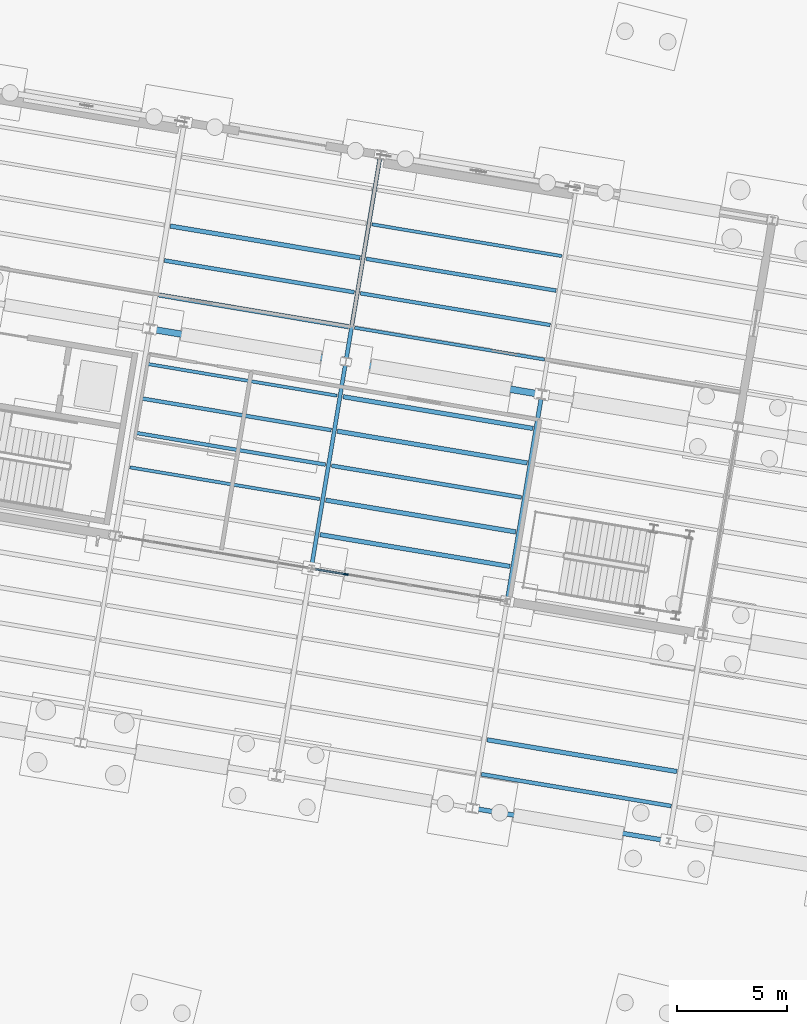
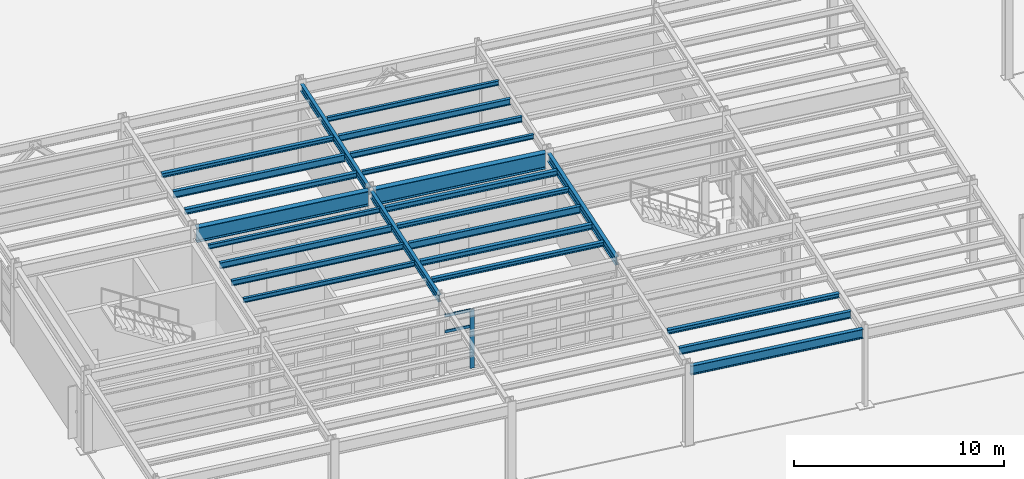
# One storey, part 44 of 108: 24 beams, 3 members, 1 element without a shape of its own.
"""IFC4 building model written with IfcOpenShell, lengths in metres."""

from ifc_helpers import new_model, si_unit, direction, frame, origin, origin_2d, place, context, subcontext, project, spatial, rectangle, i_section, extrude, material, layer, layer_set, material_profile, profile_set, type_object, element, aggregate, save


model = new_model("IFC4")

# Units and contexts
model_context = context("Model", 3, precision=1e-05, world=origin(), true_north=direction((0.0, 1.0)))
body_context = subcontext(model_context, "Body", "Model", "MODEL_VIEW")
ifc_project = project(units=[si_unit("LENGTHUNIT", "METRE"), si_unit("AREAUNIT", "SQUARE_METRE"), si_unit("VOLUMEUNIT", "CUBIC_METRE"), si_unit("PLANEANGLEUNIT", "RADIAN"), si_unit("MASSUNIT", "GRAM", prefix="KILO")], contexts=[model_context])

# Site, building, storey
site_placement = place(None, origin())
site = spatial("IfcSite", under=ifc_project, at=site_placement, CompositionType="ELEMENT")
building_placement = place(site_placement, origin())
building = spatial("IfcBuilding", under=site, at=building_placement, Name="Vireo Bluff Cable Station", CompositionType="ELEMENT")
storey_placement = place(building_placement, origin())
storey = spatial("IfcBuildingStorey", under=building, at=storey_placement, Name="L00", CompositionType="ELEMENT", Elevation=0.0)

# Beams
ifc_material_1 = material(Name="Steel ASTM A992 Gr. 50", Category="steel")
ifc_material_profile_1 = material_profile(ifc_material_1, i_section(OverallWidth=0.178955078125, OverallDepth=0.408935546875, WebThickness=0.0087890625, FlangeThickness=0.014404296875, FilletRadius=0.010009765625, at=origin_2d()), Name="W16X45")
ifc_profile_set_1 = profile_set([ifc_material_profile_1], Name="Steel ASTM A992 Gr. 50")
beam_type_1 = type_object("IfcBeamType", Name="BM-W16X45", PredefinedType="BEAM", material=ifc_profile_set_1)
beam_1_placement = place(storey_placement, frame((24.8408203125, 78.01708984375, 4.33544921875), z_axis=(0.165044536891, 0.986286115102, 0.0), x_axis=(-0.986286115102, 0.165044536891, 0.0)))
element("IfcBeam", 1, at=beam_1_placement, inside=storey, type_object=beam_type_1, Name="V4 L00 beam 793", PredefinedType="BEAM", context=body_context, shape_type="SweptSolid", body=[
    extrude(i_section(OverallWidth=0.178955078125, OverallDepth=0.408935546875, WebThickness=0.0087890625, FlangeThickness=0.014404296875, FilletRadius=0.010009765625, at=origin_2d()), origin(), (0.0, 0.0, 1.0), 9.260009765625),
])
ifc_material_profile_2 = material_profile(ifc_material_1, i_section(OverallWidth=0.180908203125, OverallDepth=0.4169921875, WebThickness=0.010986328125, FlangeThickness=0.018310546875, FilletRadius=0.010009765625, at=origin_2d()), Name="W16X57")
ifc_profile_set_2 = profile_set([ifc_material_profile_2], Name="Steel ASTM A992 Gr. 50")
beam_type_2 = type_object("IfcBeamType", Name="BM-W16X57", PredefinedType="BEAM", material=ifc_profile_set_2)
beam_2_placement = place(storey_placement, frame((26.408935546875, 87.386962890625, 4.33154296875), z_axis=(0.165044536891, 0.986286115102, 0.0), x_axis=(-0.986286115102, 0.165044536891, 0.0)))
element("IfcBeam", 2, at=beam_2_placement, inside=storey, type_object=beam_type_2, Name="V4 L00 beam 794", PredefinedType="BEAM", context=body_context, shape_type="SweptSolid", body=[
    extrude(i_section(OverallWidth=0.180908203125, OverallDepth=0.4169921875, WebThickness=0.010986328125, FlangeThickness=0.018310546875, FilletRadius=0.010009765625, at=origin_2d()), origin(), (0.0, 0.0, 1.0), 9.260009765625),
])
ifc_material_profile_3 = material_profile(ifc_material_1, i_section(OverallWidth=0.193115234375, OverallDepth=0.467041015625, WebThickness=0.011474609375, FlangeThickness=0.01904296875, FilletRadius=0.011962890625, at=origin_2d()), Name="W18X65")
ifc_profile_set_3 = profile_set([ifc_material_profile_3], Name="Steel ASTM A992 Gr. 50")
beam_type_3 = type_object("IfcBeamType", Name="BM-W18X65", PredefinedType="BEAM", material=ifc_profile_set_3)
beam_3_placement = place(storey_placement, frame((33.717529296875, 76.53173828125, 4.306396484375), z_axis=(0.165044536891, 0.986286115102, 0.0), x_axis=(-0.986286115102, 0.165044536891, 0.0)))
element("IfcBeam", 3, at=beam_3_placement, inside=storey, type_object=beam_type_3, Name="V4 L00 beam 796", PredefinedType="BEAM", context=body_context, shape_type="SweptSolid", body=[
    extrude(i_section(OverallWidth=0.193115234375, OverallDepth=0.467041015625, WebThickness=0.011474609375, FlangeThickness=0.01904296875, FilletRadius=0.011962890625, at=origin_2d()), origin(), (0.0, 0.0, 1.0), 9.260009765625),
])

# Curtain wall, members
ifc_material_2 = material(Name="Anodized Aluminium 6063-T6", Category="aluminium")
ifc_layer = layer(ifc_material_2, 0.179931640625, Name="Anodized Aluminium 6063-T6")
ifc_layer_set = layer_set([ifc_layer], Name="Anodized Aluminium 6063-T6")
curtain_wall_type = type_object("IfcCurtainWallType", Name="CW-UNIT-1400", PredefinedType="USERDEFINED", material=ifc_layer_set)
curtain_wall_placement = place(storey_placement, origin())
curtain_wall = element("IfcCurtainWall", 4, at=curtain_wall_placement, inside=storey, type_object=curtain_wall_type, Name="V4 L00 south curtain wall CW-081", ObjectType="UNITISED CURTAIN WALL", PredefinedType="USERDEFINED")
ifc_material_profile_4 = material_profile(ifc_material_2, rectangle(XDim=0.074951171875, YDim=0.2099609375, at=origin_2d()), Name="ALU-M-75X210")
ifc_profile_set_4 = profile_set([ifc_material_profile_4], Name="Anodized Aluminium 6063-T6")
member_type_1 = type_object("IfcMemberType", Name="CWM-02", PredefinedType="MULLION", material=ifc_profile_set_4)
member_1_placement = place(storey_placement, frame((26.389404296875, 77.636474609375, 0.0), z_axis=(0.0, 0.0, 1.0), x_axis=(-0.165047563411, -0.986285608641, 0.0)))
member_1 = element("IfcMember", 5, at=member_1_placement, type_object=member_type_1, Name="CW-081 mullion 6", PredefinedType="MULLION", context=body_context, shape_type="SweptSolid", body=[
    extrude(rectangle(XDim=0.074951171875, YDim=0.2099609375, at=origin_2d()), origin(), (0.0, 0.0, 1.0), 3.39990234375),
])
ifc_material_profile_5 = material_profile(ifc_material_2, rectangle(XDim=0.074951171875, YDim=0.159912109375, at=origin_2d()), Name="ALU-T-75X160")
ifc_profile_set_5 = profile_set([ifc_material_profile_5], Name="Anodized Aluminium 6063-T6")
member_type_2 = type_object("IfcMemberType", Name="CWT-02", PredefinedType="USERDEFINED", material=ifc_profile_set_5)
member_2_placement = place(storey_placement, frame((26.3525390625, 77.642578125, 2.447998046875), z_axis=(-0.986281177913, 0.165074038219, 0.0), x_axis=(-0.165074038219, -0.986281177913, 0.0)))
member_2 = element("IfcMember", 6, at=member_2_placement, type_object=member_type_2, Name="CW-081 transom 6.3", ObjectType="TRANSOM", PredefinedType="USERDEFINED", context=body_context, shape_type="SweptSolid", body=[
    extrude(rectangle(XDim=0.074951171875, YDim=0.159912109375, at=origin_2d()), origin(), (0.0, 0.0, 1.0), 1.348876953125),
])
member_3_placement = place(storey_placement, frame((26.3525390625, 77.642578125, 3.362548828125), z_axis=(-0.986281177913, 0.165074038219, 0.0), x_axis=(-0.165074038219, -0.986281177913, 0.0)))
member_3 = element("IfcMember", 7, at=member_3_placement, type_object=member_type_2, Name="CW-081 transom 6.4", ObjectType="TRANSOM", PredefinedType="USERDEFINED", context=body_context, shape_type="SweptSolid", body=[
    extrude(rectangle(XDim=0.074951171875, YDim=0.159912109375, at=origin_2d()), origin(), (0.0, 0.0, 1.0), 1.348876953125),
])
aggregate(curtain_wall, [member_1, member_2, member_3])

# Beams
ifc_material_profile_6 = material_profile(ifc_material_1, i_section(OverallWidth=0.2919921875, OverallDepth=0.85888671875, WebThickness=0.01708984375, FlangeThickness=0.031005859375, FilletRadius=0.01806640625, at=origin_2d()), Name="W33X169")
ifc_profile_set_6 = profile_set([ifc_material_profile_6], Name="Steel ASTM A992 Gr. 50")
beam_type_4 = type_object("IfcBeamType", Name="GIR-W33X169", PredefinedType="USERDEFINED", material=ifc_profile_set_6)
beam_4_placement = place(storey_placement, frame((17.630859375, 88.734130859375, 4.110595703125), z_axis=(0.986285998922, -0.165045231163, 0.0), x_axis=(0.165045231163, 0.986285998922, 0.0)))
element("IfcBeam", 8, at=beam_4_placement, inside=storey, type_object=beam_type_4, Name="V4 L00 girder 777", ObjectType="GIRDER", PredefinedType="USERDEFINED", context=body_context, shape_type="SweptSolid", body=[
    extrude(i_section(OverallWidth=0.2919921875, OverallDepth=0.85888671875, WebThickness=0.01708984375, FlangeThickness=0.031005859375, FilletRadius=0.01806640625, at=origin_2d()), origin(), (0.0, 0.0, 1.0), 8.760009765625),
])
ifc_material_profile_7 = material_profile(ifc_material_1, i_section(OverallWidth=0.303955078125, OverallDepth=0.912109375, WebThickness=0.015869140625, FlangeThickness=0.02392578125, FilletRadius=0.02001953125, at=origin_2d()), Name="W36X150")
ifc_profile_set_7 = profile_set([ifc_material_profile_7], Name="Steel ASTM A992 Gr. 50")
beam_type_5 = type_object("IfcBeamType", Name="GIR-W36X150", PredefinedType="USERDEFINED", material=ifc_profile_set_7)
beam_5_placement = place(storey_placement, frame((26.50732421875, 87.248779296875, 4.083984375), z_axis=(0.986285998922, -0.165045231163, 0.0), x_axis=(0.165045231163, 0.986285998922, 0.0)))
element("IfcBeam", 9, at=beam_5_placement, inside=storey, type_object=beam_type_5, Name="V4 L00 girder 778", ObjectType="GIRDER", PredefinedType="USERDEFINED", context=body_context, shape_type="SweptSolid", body=[
    extrude(i_section(OverallWidth=0.303955078125, OverallDepth=0.912109375, WebThickness=0.015869140625, FlangeThickness=0.02392578125, FilletRadius=0.02001953125, at=origin_2d()), origin(), (0.0, 0.0, 1.0), 8.760009765625),
])
ifc_material_profile_8 = material_profile(ifc_material_1, i_section(OverallWidth=0.14599609375, OverallDepth=0.259033203125, WebThickness=0.006103515625, FlangeThickness=0.009033203125, FilletRadius=0.009033203125, at=origin_2d()), Name="W10X22")
ifc_profile_set_8 = profile_set([ifc_material_profile_8], Name="Steel ASTM A992 Gr. 50")
beam_type_6 = type_object("IfcBeamType", Name="JST-W10X22", PredefinedType="JOIST", material=ifc_profile_set_8)
beam_6_placement = place(storey_placement, frame((16.605224609375, 82.484375, 4.410400390625), z_axis=(0.98628550168, -0.165048202583, 0.0), x_axis=(0.165048202583, 0.98628550168, 0.0)))
element("IfcBeam", 10, at=beam_6_placement, inside=storey, type_object=beam_type_6, Name="V4 L00 composite joist 820", PredefinedType="JOIST", context=body_context, shape_type="SweptSolid", body=[
    extrude(i_section(OverallWidth=0.14599609375, OverallDepth=0.259033203125, WebThickness=0.006103515625, FlangeThickness=0.009033203125, FilletRadius=0.009033203125, at=origin_2d()), origin(), (0.0, 0.0, 1.0), 8.719970703125),
])
for number, where, z_axis, x_axis, name in (
    (11, (17.38916015625, 87.169189453125, 4.410400390625), (0.986286264339, -0.165043645063, 0.0), (0.165043645063, 0.986286264339, 0.0), "V4 L00 composite joist 823"),
    (12, (26.788330078125, 88.80712890625, 4.410400390625), (0.986286264339, -0.165043645063, 0.0), (0.165043645063, 0.986286264339, 0.0), "V4 L00 composite joist 839"),
):
    element("IfcBeam", number, at=place(storey_placement, frame(where, z_axis=z_axis, x_axis=x_axis)), inside=storey, type_object=beam_type_6, Name=name, PredefinedType="JOIST", context=body_context, shape_type="SweptSolid", body=[
        extrude(i_section(OverallWidth=0.14599609375, OverallDepth=0.259033203125, WebThickness=0.006103515625, FlangeThickness=0.009033203125, FilletRadius=0.009033203125, at=origin_2d()), origin(), (0.0, 0.0, 1.0), 8.72021484375),
    ])
beam_7_placement = place(storey_placement, frame((27.572509765625, 93.491943359375, 4.410400390625), z_axis=(0.98628550168, -0.165048202583, 0.0), x_axis=(0.165048202583, 0.98628550168, 0.0)))
element("IfcBeam", 13, at=beam_7_placement, inside=storey, type_object=beam_type_6, Name="V4 L00 composite joist 842", PredefinedType="JOIST", context=body_context, shape_type="SweptSolid", body=[
    extrude(i_section(OverallWidth=0.14599609375, OverallDepth=0.259033203125, WebThickness=0.006103515625, FlangeThickness=0.009033203125, FilletRadius=0.009033203125, at=origin_2d()), origin(), (0.0, 0.0, 1.0), 8.719970703125),
])
ifc_material_profile_9 = material_profile(ifc_material_1, i_section(OverallWidth=0.201904296875, OverallDepth=0.2470703125, WebThickness=0.00732421875, FlangeThickness=0.010986328125, FilletRadius=0.009033203125, at=origin_2d()), Name="W10X33")
ifc_profile_set_9 = profile_set([ifc_material_profile_9], Name="Steel ASTM A992 Gr. 50")
beam_type_7 = type_object("IfcBeamType", Name="JST-W10X33", PredefinedType="JOIST", material=ifc_profile_set_9)
for number, where, z_axis, x_axis, name in (
    (14, (18.4345703125, 93.415771484375, 4.41650390625), (0.98628550168, -0.165048202583, 0.0), (0.165048202583, 0.98628550168, 0.0), "V4 L00 composite joist 826"),
    (15, (25.220458984375, 79.437255859375, 4.41650390625), (0.98628550168, -0.165048202583, 0.0), (0.165048202583, 0.98628550168, 0.0), "V4 L00 composite joist 834"),
):
    element("IfcBeam", number, at=place(storey_placement, frame(where, z_axis=z_axis, x_axis=x_axis)), inside=storey, type_object=beam_type_7, Name=name, PredefinedType="JOIST", context=body_context, shape_type="SweptSolid", body=[
        extrude(i_section(OverallWidth=0.201904296875, OverallDepth=0.2470703125, WebThickness=0.00732421875, FlangeThickness=0.010986328125, FilletRadius=0.009033203125, at=origin_2d()), origin(), (0.0, 0.0, 1.0), 8.719970703125),
    ])
beam_8_placement = place(storey_placement, frame((26.00439453125, 84.122314453125, 4.41650390625), z_axis=(0.986286264339, -0.165043645063, 0.0), x_axis=(0.165043645063, 0.986286264339, 0.0)))
element("IfcBeam", 16, at=beam_8_placement, inside=storey, type_object=beam_type_7, Name="V4 L00 composite joist 837", PredefinedType="JOIST", context=body_context, shape_type="SweptSolid", body=[
    extrude(i_section(OverallWidth=0.201904296875, OverallDepth=0.2470703125, WebThickness=0.00732421875, FlangeThickness=0.010986328125, FilletRadius=0.009033203125, at=origin_2d()), origin(), (0.0, 0.0, 1.0), 8.72021484375),
])
beam_9_placement = place(storey_placement, frame((32.79052734375, 70.143798828125, 4.41650390625), z_axis=(0.98628550168, -0.165048202583, 0.0), x_axis=(0.165048202583, 0.98628550168, 0.0)))
element("IfcBeam", 17, at=beam_9_placement, inside=storey, type_object=beam_type_7, Name="V4 L00 composite joist 845", PredefinedType="JOIST", context=body_context, shape_type="SweptSolid", body=[
    extrude(i_section(OverallWidth=0.201904296875, OverallDepth=0.2470703125, WebThickness=0.00732421875, FlangeThickness=0.010986328125, FilletRadius=0.009033203125, at=origin_2d()), origin(), (0.0, 0.0, 1.0), 8.719970703125),
])
ifc_material_profile_10 = material_profile(ifc_material_1, i_section(OverallWidth=0.1650390625, OverallDepth=0.31005859375, WebThickness=0.005859375, FlangeThickness=0.009765625, FilletRadius=0.010009765625, at=origin_2d()), Name="W12X26")
ifc_profile_set_10 = profile_set([ifc_material_profile_10], Name="Steel ASTM A992 Gr. 50")
beam_type_8 = type_object("IfcBeamType", Name="JST-W12X26", PredefinedType="JOIST", material=ifc_profile_set_10)
for number, where, z_axis, x_axis, name in (
    (18, (16.86669921875, 84.046142578125, 4.385009765625), (0.98628550168, -0.165048202583, 0.0), (0.165048202583, 0.98628550168, 0.0), "V4 L00 composite joist 821"),
    (19, (27.0498046875, 90.36865234375, 4.385009765625), (0.98628550168, -0.165048202583, 0.0), (0.165048202583, 0.98628550168, 0.0), "V4 L00 composite joist 840"),
):
    element("IfcBeam", number, at=place(storey_placement, frame(where, z_axis=z_axis, x_axis=x_axis)), inside=storey, type_object=beam_type_8, Name=name, PredefinedType="JOIST", context=body_context, shape_type="SweptSolid", body=[
        extrude(i_section(OverallWidth=0.1650390625, OverallDepth=0.31005859375, WebThickness=0.005859375, FlangeThickness=0.009765625, FilletRadius=0.010009765625, at=origin_2d()), origin(), (0.0, 0.0, 1.0), 8.719970703125),
    ])
ifc_material_profile_11 = material_profile(ifc_material_1, i_section(OverallWidth=0.202880859375, OverallDepth=0.302978515625, WebThickness=0.007568359375, FlangeThickness=0.01318359375, FilletRadius=0.010009765625, at=origin_2d()), Name="W12X40")
ifc_profile_set_11 = profile_set([ifc_material_profile_11], Name="Steel ASTM A992 Gr. 50")
beam_type_9 = type_object("IfcBeamType", Name="JST-W12X40", PredefinedType="JOIST", material=ifc_profile_set_11)
for number, where, z_axis, x_axis, name in (
    (20, (17.911865234375, 90.29248046875, 4.388427734375), (0.98628550168, -0.165048202583, 0.0), (0.165048202583, 0.98628550168, 0.0), "V4 L00 composite joist 824"),
    (21, (25.48193359375, 80.9990234375, 4.388427734375), (0.98628550168, -0.165048202583, 0.0), (0.165048202583, 0.98628550168, 0.0), "V4 L00 composite joist 835"),
    (22, (26.265869140625, 85.683837890625, 4.388427734375), (0.98628550168, -0.165048202583, 0.0), (0.165048202583, 0.98628550168, 0.0), "V4 L00 composite joist 838"),
):
    element("IfcBeam", number, at=place(storey_placement, frame(where, z_axis=z_axis, x_axis=x_axis)), inside=storey, type_object=beam_type_9, Name=name, PredefinedType="JOIST", context=body_context, shape_type="SweptSolid", body=[
        extrude(i_section(OverallWidth=0.202880859375, OverallDepth=0.302978515625, WebThickness=0.007568359375, FlangeThickness=0.01318359375, FilletRadius=0.010009765625, at=origin_2d()), origin(), (0.0, 0.0, 1.0), 8.719970703125),
    ])
ifc_material_profile_12 = material_profile(ifc_material_1, i_section(OverallWidth=0.1708984375, OverallDepth=0.35107421875, WebThickness=0.0068359375, FlangeThickness=0.009765625, FilletRadius=0.010009765625, at=origin_2d()), Name="W14X30")
ifc_profile_set_12 = profile_set([ifc_material_profile_12], Name="Steel ASTM A992 Gr. 50")
beam_type_10 = type_object("IfcBeamType", Name="JST-W14X30", PredefinedType="JOIST", material=ifc_profile_set_12)
beam_10_placement = place(storey_placement, frame((17.1279296875, 85.607666015625, 4.364501953125), z_axis=(0.98628550168, -0.165048202583, 0.0), x_axis=(0.165048202583, 0.98628550168, 0.0)))
element("IfcBeam", 23, at=beam_10_placement, inside=storey, type_object=beam_type_10, Name="V4 L00 composite joist 822", PredefinedType="JOIST", context=body_context, shape_type="SweptSolid", body=[
    extrude(i_section(OverallWidth=0.1708984375, OverallDepth=0.35107421875, WebThickness=0.0068359375, FlangeThickness=0.009765625, FilletRadius=0.010009765625, at=origin_2d()), origin(), (0.0, 0.0, 1.0), 8.719970703125),
])
beam_11_placement = place(storey_placement, frame((27.31103515625, 91.930419921875, 4.364501953125), z_axis=(0.986286264339, -0.165043645063, 0.0), x_axis=(0.165043645063, 0.986286264339, 0.0)))
element("IfcBeam", 24, at=beam_11_placement, inside=storey, type_object=beam_type_10, Name="V4 L00 composite joist 841", PredefinedType="JOIST", context=body_context, shape_type="SweptSolid", body=[
    extrude(i_section(OverallWidth=0.1708984375, OverallDepth=0.35107421875, WebThickness=0.0068359375, FlangeThickness=0.009765625, FilletRadius=0.010009765625, at=origin_2d()), origin(), (0.0, 0.0, 1.0), 8.72021484375),
])
ifc_material_profile_13 = material_profile(ifc_material_1, i_section(OverallWidth=0.177978515625, OverallDepth=0.404052734375, WebThickness=0.007568359375, FlangeThickness=0.010986328125, FilletRadius=0.010009765625, at=origin_2d()), Name="W16X36")
ifc_profile_set_13 = profile_set([ifc_material_profile_13], Name="Steel ASTM A992 Gr. 50")
beam_type_11 = type_object("IfcBeamType", Name="JST-W16X36", PredefinedType="JOIST", material=ifc_profile_set_13)
beam_12_placement = place(storey_placement, frame((18.173095703125, 91.854248046875, 4.337890625), z_axis=(0.986281706588, -0.165070879472, 0.0), x_axis=(0.165070879472, 0.986281706588, 0.0)))
element("IfcBeam", 25, at=beam_12_placement, inside=storey, type_object=beam_type_11, Name="V4 L00 composite joist 825", PredefinedType="JOIST", context=body_context, shape_type="SweptSolid", body=[
    extrude(i_section(OverallWidth=0.177978515625, OverallDepth=0.404052734375, WebThickness=0.007568359375, FlangeThickness=0.010986328125, FilletRadius=0.010009765625, at=origin_2d()), origin(), (0.0, 0.0, 1.0), 8.72021484375),
])
beam_13_placement = place(storey_placement, frame((25.7431640625, 82.560546875, 4.337890625), z_axis=(0.98628550168, -0.165048202583, 0.0), x_axis=(0.165048202583, 0.98628550168, 0.0)))
element("IfcBeam", 26, at=beam_13_placement, inside=storey, type_object=beam_type_11, Name="V4 L00 composite joist 836", PredefinedType="JOIST", context=body_context, shape_type="SweptSolid", body=[
    extrude(i_section(OverallWidth=0.177978515625, OverallDepth=0.404052734375, WebThickness=0.007568359375, FlangeThickness=0.010986328125, FilletRadius=0.010009765625, at=origin_2d()), origin(), (0.0, 0.0, 1.0), 8.719970703125),
])
beam_14_placement = place(storey_placement, frame((32.529052734375, 68.582275390625, 4.337890625), z_axis=(0.986286264339, -0.165043645063, 0.0), x_axis=(0.165043645063, 0.986286264339, 0.0)))
element("IfcBeam", 27, at=beam_14_placement, inside=storey, type_object=beam_type_11, Name="V4 L00 composite joist 844", PredefinedType="JOIST", context=body_context, shape_type="SweptSolid", body=[
    extrude(i_section(OverallWidth=0.177978515625, OverallDepth=0.404052734375, WebThickness=0.007568359375, FlangeThickness=0.010986328125, FilletRadius=0.010009765625, at=origin_2d()), origin(), (0.0, 0.0, 1.0), 8.72021484375),
])
ifc_material_profile_14 = material_profile(ifc_material_1, i_section(OverallWidth=0.2099609375, OverallDepth=0.535888671875, WebThickness=0.010986328125, FlangeThickness=0.017333984375, FilletRadius=0.012939453125, at=origin_2d()), Name="W21X68")
ifc_profile_set_14 = profile_set([ifc_material_profile_14], Name="Steel ASTM A992 Gr. 50")
beam_type_12 = type_object("IfcBeamType", Name="SPN-W21X68", PredefinedType="SPANDREL", material=ifc_profile_set_14)
beam_15_placement = place(storey_placement, frame((32.248046875, 67.02392578125, 4.27197265625), z_axis=(0.986285998922, -0.165045231163, 0.0), x_axis=(0.165045231163, 0.986285998922, 0.0)))
element("IfcBeam", 28, at=beam_15_placement, inside=storey, type_object=beam_type_12, Name="V4 L00 spandrel 769", PredefinedType="SPANDREL", context=body_context, shape_type="SweptSolid", body=[
    extrude(i_section(OverallWidth=0.2099609375, OverallDepth=0.535888671875, WebThickness=0.010986328125, FlangeThickness=0.017333984375, FilletRadius=0.012939453125, at=origin_2d()), origin(), (0.0, 0.0, 1.0), 8.760009765625),
])

save(model, "model.ifc")
